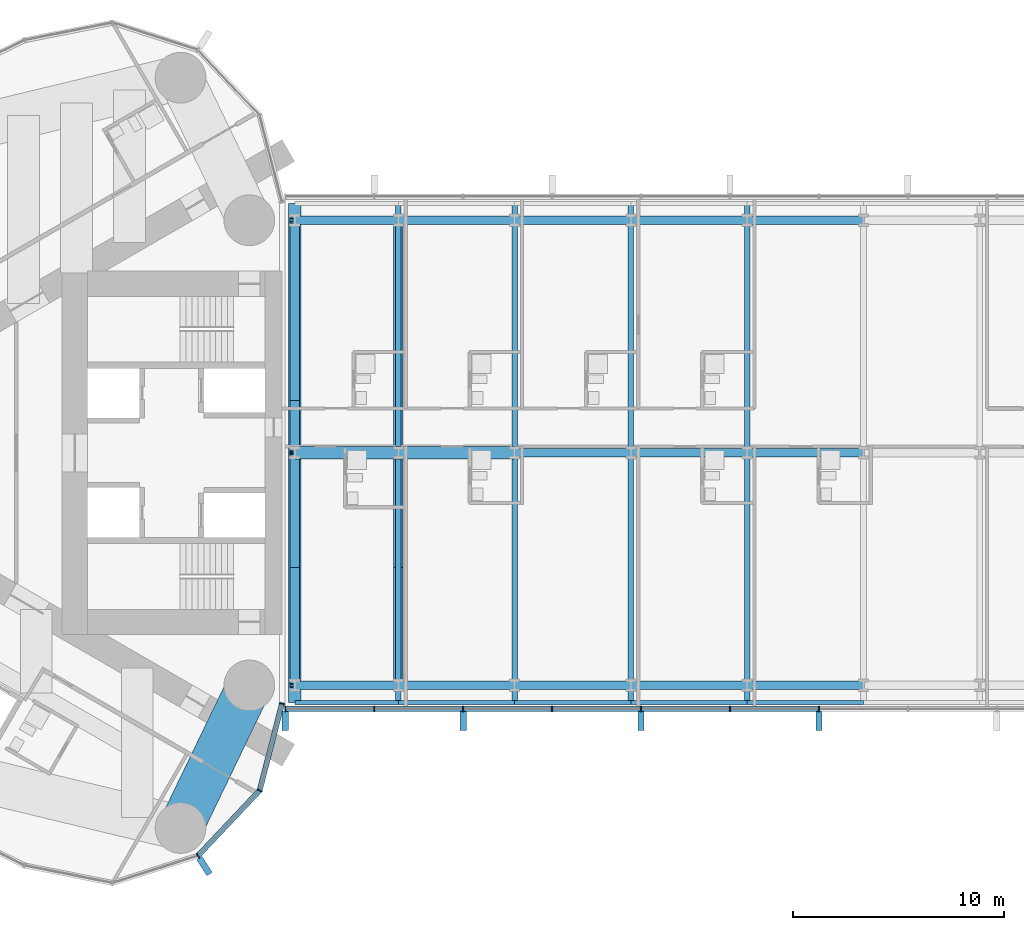
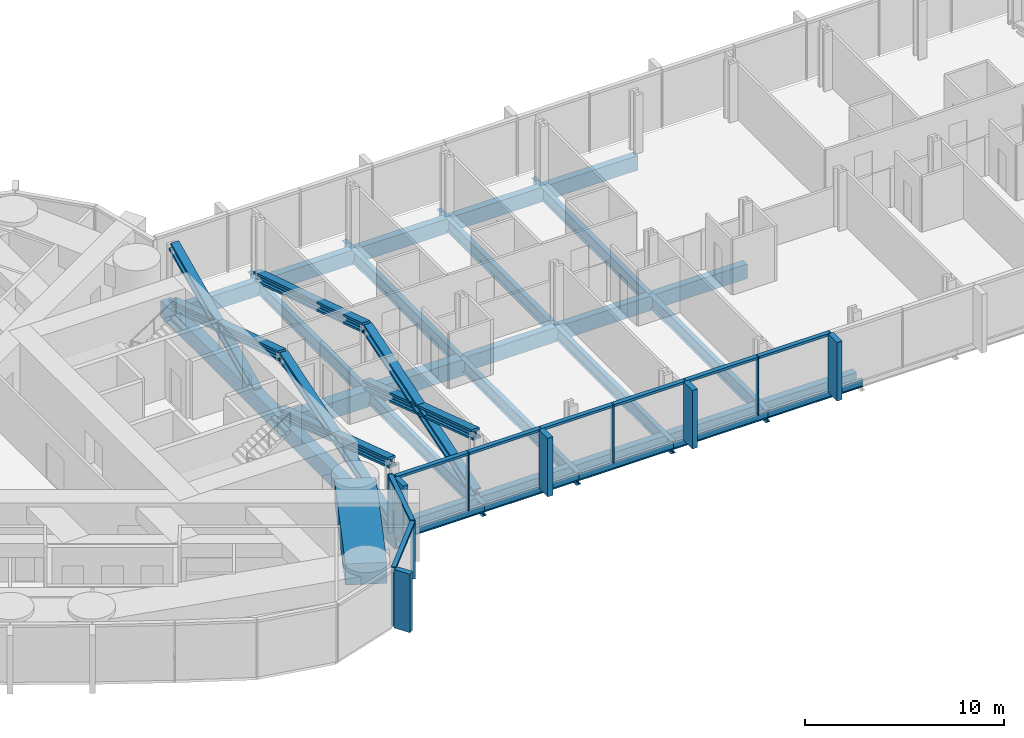
# One storey, part 4 of 22: 31 beams, 30 members, 2 elements without a shape of their own.
"""IFC4 building model written with IfcOpenShell, lengths in metres."""

from ifc_helpers import new_model, si_unit, direction, frame, origin, origin_2d, place, context, subcontext, project, spatial, rectangle, hollow_rectangle, i_section, extrude, material, material_profile, profile_set, type_object, element, aggregate, save


model = new_model("IFC4")

# Units and contexts
model_context = context("Model", 3, precision=1e-05, world=origin(), true_north=direction((0.0, 1.0)))
body_context = subcontext(model_context, "Body", "Model", "MODEL_VIEW")
ifc_project = project(units=[si_unit("LENGTHUNIT", "METRE"), si_unit("AREAUNIT", "SQUARE_METRE"), si_unit("VOLUMEUNIT", "CUBIC_METRE"), si_unit("PLANEANGLEUNIT", "RADIAN"), si_unit("MASSUNIT", "GRAM", prefix="KILO")], contexts=[model_context])

# Site, building, storey
site_placement = place(None, origin())
site = spatial("IfcSite", under=ifc_project, at=site_placement, CompositionType="ELEMENT")
building_placement = place(site_placement, origin())
building = spatial("IfcBuilding", under=site, at=building_placement, Name="Lancet Gate Hotel", CompositionType="ELEMENT")
storey_placement = place(building_placement, frame((0.0, 0.0, 226.10009765625)))
storey = spatial("IfcBuildingStorey", under=building, at=storey_placement, Name="L60", CompositionType="ELEMENT", Elevation=226.10009765625)

# Curtain wall, members
ifc_material_1 = material(Name="Aluminium curtain wall", Category="aluminium")
curtain_wall_type_1 = type_object("IfcCurtainWallType", Name="Tower unitised curtain wall", PredefinedType="USERDEFINED", material=ifc_material_1)
curtain_wall_1_placement = place(storey_placement, origin())
curtain_wall_1 = element("IfcCurtainWall", 1, at=curtain_wall_1_placement, inside=storey, type_object=curtain_wall_type_1, Name="T1 L60 curtain wall 1", ObjectType="UNITISED CURTAIN WALL", PredefinedType="USERDEFINED")
ifc_material_2 = material(Name="Aluminium mullion", Category="aluminium")
ifc_material_profile_1 = material_profile(ifc_material_2, rectangle(XDim=0.06494140625, YDim=0.25, at=origin_2d()), Name="MULLION 65x250")
ifc_profile_set_1 = profile_set([ifc_material_profile_1], Name="Aluminium mullion")
member_type_1 = type_object("IfcMemberType", Name="Aluminium mullion 65x250", PredefinedType="MULLION", material=ifc_profile_set_1)
member_1_placement = place(storey_placement, frame((-31.476318359375, -19.0576171875, 0.0), z_axis=(0.0, 0.0, 1.0), x_axis=(0.846612863, 0.532209225966, 0.0)))
member_1 = element("IfcMember", 2, at=member_1_placement, type_object=member_type_1, Name="T1 L60 curtain wall 1 mullion 23", PredefinedType="MULLION", context=body_context, shape_type="SweptSolid", body=[
    extrude(rectangle(XDim=0.06494140625, YDim=0.25, at=origin_2d()), origin(), (0.0, 0.0, 1.0), 3.599853515625),
])
member_2_placement = place(storey_placement, frame((-28.56005859375, -15.97216796875, 0.0), z_axis=(0.0, 0.0, 1.0), x_axis=(0.483627322447, 0.875274021654, 0.0)))
member_2 = element("IfcMember", 3, at=member_2_placement, type_object=member_type_1, Name="T1 L60 curtain wall 1 mullion 24", PredefinedType="MULLION", context=body_context, shape_type="SweptSolid", body=[
    extrude(rectangle(XDim=0.06494140625, YDim=0.25, at=origin_2d()), origin(), (0.0, 0.0, 1.0), 3.599853515625),
])
member_3_placement = place(storey_placement, frame((-27.5, -11.861572265625, 0.0), z_axis=(0.0, 0.0, 1.0), x_axis=(0.249725827997, 0.968316586056, 0.0)))
member_3 = element("IfcMember", 4, at=member_3_placement, type_object=member_type_1, Name="T1 L60 curtain wall 1 mullion 25", PredefinedType="MULLION", context=body_context, shape_type="SweptSolid", body=[
    extrude(rectangle(XDim=0.06494140625, YDim=0.25, at=origin_2d()), origin(), (0.0, 0.0, 1.0), 3.599853515625),
])

ifc_material_3 = material(Name="Aluminium curtain wall", Category="aluminium")
curtain_wall_type_2 = type_object("IfcCurtainWallType", Name="Bridge block curtain wall", PredefinedType="USERDEFINED", material=ifc_material_3)
curtain_wall_2_placement = place(storey_placement, origin())
curtain_wall_2 = element("IfcCurtainWall", 5, at=curtain_wall_2_placement, inside=storey, type_object=curtain_wall_type_2, Name="Bridge block L60 curtain wall S", ObjectType="UNITISED CURTAIN WALL", PredefinedType="USERDEFINED")
member_4_placement = place(storey_placement, frame((-27.35009765625, -12.1201171875, 0.0), z_axis=(0.0, 0.0, 1.0), x_axis=(1.0, 0.0, 0.0)))
member_4 = element("IfcMember", 6, at=member_4_placement, type_object=member_type_1, Name="Bridge block L60 curtain wall S mullion 1", PredefinedType="MULLION", context=body_context, shape_type="SweptSolid", body=[
    extrude(rectangle(XDim=0.06494140625, YDim=0.25, at=origin_2d()), origin(), (0.0, 0.0, 1.0), 3.599853515625),
])
member_5_placement = place(storey_placement, frame((-23.142333984375, -12.1201171875, 0.0), z_axis=(0.0, 0.0, 1.0), x_axis=(1.0, 0.0, 0.0)))
member_5 = element("IfcMember", 7, at=member_5_placement, type_object=member_type_1, Name="Bridge block L60 curtain wall S mullion 2", PredefinedType="MULLION", context=body_context, shape_type="SweptSolid", body=[
    extrude(rectangle(XDim=0.06494140625, YDim=0.25, at=origin_2d()), origin(), (0.0, 0.0, 1.0), 3.599853515625),
])
member_6_placement = place(storey_placement, frame((-18.9345703125, -12.1201171875, 0.0), z_axis=(0.0, 0.0, 1.0), x_axis=(1.0, 0.0, 0.0)))
member_6 = element("IfcMember", 8, at=member_6_placement, type_object=member_type_1, Name="Bridge block L60 curtain wall S mullion 3", PredefinedType="MULLION", context=body_context, shape_type="SweptSolid", body=[
    extrude(rectangle(XDim=0.06494140625, YDim=0.25, at=origin_2d()), origin(), (0.0, 0.0, 1.0), 3.599853515625),
])
member_7_placement = place(storey_placement, frame((-14.726806640625, -12.1201171875, 0.0), z_axis=(0.0, 0.0, 1.0), x_axis=(1.0, 0.0, 0.0)))
member_7 = element("IfcMember", 9, at=member_7_placement, type_object=member_type_1, Name="Bridge block L60 curtain wall S mullion 4", PredefinedType="MULLION", context=body_context, shape_type="SweptSolid", body=[
    extrude(rectangle(XDim=0.06494140625, YDim=0.25, at=origin_2d()), origin(), (0.0, 0.0, 1.0), 3.599853515625),
])
member_8_placement = place(storey_placement, frame((-10.519287109375, -12.1201171875, 0.0), z_axis=(0.0, 0.0, 1.0), x_axis=(1.0, 0.0, 0.0)))
member_8 = element("IfcMember", 10, at=member_8_placement, type_object=member_type_1, Name="Bridge block L60 curtain wall S mullion 5", PredefinedType="MULLION", context=body_context, shape_type="SweptSolid", body=[
    extrude(rectangle(XDim=0.06494140625, YDim=0.25, at=origin_2d()), origin(), (0.0, 0.0, 1.0), 3.599853515625),
])
member_9_placement = place(storey_placement, frame((-6.3115234375, -12.1201171875, 0.0), z_axis=(0.0, 0.0, 1.0), x_axis=(1.0, 0.0, 0.0)))
member_9 = element("IfcMember", 11, at=member_9_placement, type_object=member_type_1, Name="Bridge block L60 curtain wall S mullion 6", PredefinedType="MULLION", context=body_context, shape_type="SweptSolid", body=[
    extrude(rectangle(XDim=0.06494140625, YDim=0.25, at=origin_2d()), origin(), (0.0, 0.0, 1.0), 3.599853515625),
])
member_10_placement = place(storey_placement, frame((-2.103759765625, -12.1201171875, 0.0), z_axis=(0.0, 0.0, 1.0), x_axis=(1.0, 0.0, 0.0)))
member_10 = element("IfcMember", 12, at=member_10_placement, type_object=member_type_1, Name="Bridge block L60 curtain wall S mullion 7", PredefinedType="MULLION", context=body_context, shape_type="SweptSolid", body=[
    extrude(rectangle(XDim=0.06494140625, YDim=0.25, at=origin_2d()), origin(), (0.0, 0.0, 1.0), 3.599853515625),
])

# Member
ifc_material_4 = material(Name="Aluminium transom", Category="aluminium")
ifc_material_profile_2 = material_profile(ifc_material_4, rectangle(XDim=0.25, YDim=0.14990234375, at=origin_2d()), Name="TRANSOM 250x150")
ifc_profile_set_2 = profile_set([ifc_material_profile_2], Name="Aluminium transom")
member_type_2 = type_object("IfcMemberType", Name="Aluminium transom 250x150", PredefinedType="USERDEFINED", material=ifc_profile_set_2)
member_11_placement = place(storey_placement, frame((-31.453857421875, -19.033935546875, 3.52490234375), z_axis=(0.686880731091, 0.726770157103, 0.0), x_axis=(-0.726770157103, 0.686880731091, 0.0)))
member_11 = element("IfcMember", 13, at=member_11_placement, type_object=member_type_2, Name="T1 L60 curtain wall 1 transom 23", ObjectType="TRANSOM", PredefinedType="USERDEFINED", context=body_context, shape_type="SweptSolid", body=[
    extrude(rectangle(XDim=0.25, YDim=0.14990234375, at=origin_2d()), origin(), (0.0, 0.0, 1.0), 4.18017578125),
])

member_12_placement = place(storey_placement, frame((-28.552001953125, -15.94091796875, 3.52490234375), z_axis=(0.249715522936, 0.968319243641, 0.0), x_axis=(-0.968319243641, 0.249715522936, 0.0)))
member_12 = element("IfcMember", 14, at=member_12_placement, type_object=member_type_2, Name="T1 L60 curtain wall 1 transom 24", ObjectType="TRANSOM", PredefinedType="USERDEFINED", context=body_context, shape_type="SweptSolid", body=[
    extrude(rectangle(XDim=0.25, YDim=0.14990234375, at=origin_2d()), origin(), (0.0, 0.0, 1.0), 4.180419921875),
])

member_13_placement = place(storey_placement, frame((-27.3173828125, -12.1201171875, 3.52490234375), z_axis=(1.0, 0.0, 0.0), x_axis=(0.0, 1.0, 0.0)))
member_13 = element("IfcMember", 15, at=member_13_placement, type_object=member_type_2, Name="Bridge block L60 curtain wall S transom 1", ObjectType="TRANSOM", PredefinedType="USERDEFINED", context=body_context, shape_type="SweptSolid", body=[
    extrude(rectangle(XDim=0.25, YDim=0.14990234375, at=origin_2d()), origin(), (0.0, 0.0, 1.0), 4.142578125),
])

member_14_placement = place(storey_placement, frame((-23.10986328125, -12.1201171875, 3.52490234375), z_axis=(1.0, 0.0, 0.0), x_axis=(0.0, 1.0, 0.0)))
member_14 = element("IfcMember", 16, at=member_14_placement, type_object=member_type_2, Name="Bridge block L60 curtain wall S transom 2", ObjectType="TRANSOM", PredefinedType="USERDEFINED", context=body_context, shape_type="SweptSolid", body=[
    extrude(rectangle(XDim=0.25, YDim=0.14990234375, at=origin_2d()), origin(), (0.0, 0.0, 1.0), 4.142822265625),
])

member_15_placement = place(storey_placement, frame((-18.902099609375, -12.1201171875, 3.52490234375), z_axis=(1.0, 0.0, 0.0), x_axis=(0.0, 1.0, 0.0)))
member_15 = element("IfcMember", 17, at=member_15_placement, type_object=member_type_2, Name="Bridge block L60 curtain wall S transom 3", ObjectType="TRANSOM", PredefinedType="USERDEFINED", context=body_context, shape_type="SweptSolid", body=[
    extrude(rectangle(XDim=0.25, YDim=0.14990234375, at=origin_2d()), origin(), (0.0, 0.0, 1.0), 4.142578125),
])

member_16_placement = place(storey_placement, frame((-14.6943359375, -12.1201171875, 3.52490234375), z_axis=(1.0, 0.0, 0.0), x_axis=(0.0, 1.0, 0.0)))
member_16 = element("IfcMember", 18, at=member_16_placement, type_object=member_type_2, Name="Bridge block L60 curtain wall S transom 4", ObjectType="TRANSOM", PredefinedType="USERDEFINED", context=body_context, shape_type="SweptSolid", body=[
    extrude(rectangle(XDim=0.25, YDim=0.14990234375, at=origin_2d()), origin(), (0.0, 0.0, 1.0), 4.142578125),
])

member_17_placement = place(storey_placement, frame((-10.48681640625, -12.1201171875, 3.52490234375), z_axis=(1.0, 0.0, 0.0), x_axis=(0.0, 1.0, 0.0)))
member_17 = element("IfcMember", 19, at=member_17_placement, type_object=member_type_2, Name="Bridge block L60 curtain wall S transom 5", ObjectType="TRANSOM", PredefinedType="USERDEFINED", context=body_context, shape_type="SweptSolid", body=[
    extrude(rectangle(XDim=0.25, YDim=0.14990234375, at=origin_2d()), origin(), (0.0, 0.0, 1.0), 4.142822265625),
])

member_18_placement = place(storey_placement, frame((-6.279052734375, -12.1201171875, 3.52490234375), z_axis=(1.0, 0.0, 0.0), x_axis=(0.0, 1.0, 0.0)))
member_18 = element("IfcMember", 20, at=member_18_placement, type_object=member_type_2, Name="Bridge block L60 curtain wall S transom 6", ObjectType="TRANSOM", PredefinedType="USERDEFINED", context=body_context, shape_type="SweptSolid", body=[
    extrude(rectangle(XDim=0.25, YDim=0.14990234375, at=origin_2d()), origin(), (0.0, 0.0, 1.0), 4.142822265625),
])

# Members
ifc_material_5 = material(Name="Steel S460", Category="steel")
ifc_material_profile_3 = material_profile(ifc_material_5, i_section(OverallWidth=0.4541015625, OverallDepth=0.569091796875, WebThickness=0.077880859375, FlangeThickness=0.125, FilletRadius=0.02001953125, at=origin_2d()), Name="HD 400x1086")
ifc_profile_set_3 = profile_set([ifc_material_profile_3], Name="Steel S460")
member_type_3 = type_object("IfcMemberType", Name="Block brace HD 400x1086", PredefinedType="BRACE", material=ifc_profile_set_3)
member_19_placement = place(storey_placement, frame((-26.89990234375, -11.0, 0.0), z_axis=(0.0, 0.952925780013, 0.303203657277), x_axis=(-1.0, 0.0, 0.0)))
element("IfcMember", 21, at=member_19_placement, inside=storey, type_object=member_type_3, Name="Block brace WY11 L60", PredefinedType="BRACE", context=body_context, shape_type="SweptSolid", body=[
    extrude(i_section(OverallWidth=0.4541015625, OverallDepth=0.569091796875, WebThickness=0.077880859375, FlangeThickness=0.125, FilletRadius=0.02001953125, at=origin_2d()), origin(), (0.0, 0.0, 1.0), 11.54345703125),
])
member_20_placement = place(storey_placement, frame((-26.89990234375, 0.0, 0.0), z_axis=(0.0, -0.950400870301, 0.311027628564), x_axis=(1.0, 0.0, 0.0)))
element("IfcMember", 22, at=member_20_placement, inside=storey, type_object=member_type_3, Name="Block brace WY12 L60", PredefinedType="BRACE", context=body_context, shape_type="SweptSolid", body=[
    extrude(i_section(OverallWidth=0.4541015625, OverallDepth=0.569091796875, WebThickness=0.077880859375, FlangeThickness=0.125, FilletRadius=0.02001953125, at=origin_2d()), origin(), (0.0, 0.0, 1.0), 11.573974609375),
])
for number, where, z_axis, x_axis, name in (
    (23, (-26.89990234375, 11.0, 0.0), (0.0, -0.952925780013, 0.303203657277), (1.0, 0.0, 0.0), "Block brace WY22 L60"),
    (24, (-22.0, -11.0, 0.0), (0.0, 0.952925780013, 0.303203657277), (-1.0, 0.0, 0.0), "Block brace WI11 L60"),
):
    element("IfcMember", number, at=place(storey_placement, frame(where, z_axis=z_axis, x_axis=x_axis)), inside=storey, type_object=member_type_3, Name=name, PredefinedType="BRACE", context=body_context, shape_type="SweptSolid", body=[
        extrude(i_section(OverallWidth=0.4541015625, OverallDepth=0.569091796875, WebThickness=0.077880859375, FlangeThickness=0.125, FilletRadius=0.02001953125, at=origin_2d()), origin(), (0.0, 0.0, 1.0), 11.54345703125),
    ])
member_21_placement = place(storey_placement, frame((-22.0, 0.0, 0.0), z_axis=(0.0, -0.950400870301, 0.311027628564), x_axis=(1.0, 0.0, 0.0)))
element("IfcMember", 25, at=member_21_placement, inside=storey, type_object=member_type_3, Name="Block brace WI12 L60", PredefinedType="BRACE", context=body_context, shape_type="SweptSolid", body=[
    extrude(i_section(OverallWidth=0.4541015625, OverallDepth=0.569091796875, WebThickness=0.077880859375, FlangeThickness=0.125, FilletRadius=0.02001953125, at=origin_2d()), origin(), (0.0, 0.0, 1.0), 11.573974609375),
])
member_22_placement = place(storey_placement, frame((-22.0, 11.0, 0.0), z_axis=(0.0, -0.952925780013, 0.303203657277), x_axis=(1.0, 0.0, 0.0)))
element("IfcMember", 26, at=member_22_placement, inside=storey, type_object=member_type_3, Name="Block brace WI22 L60", PredefinedType="BRACE", context=body_context, shape_type="SweptSolid", body=[
    extrude(i_section(OverallWidth=0.4541015625, OverallDepth=0.569091796875, WebThickness=0.077880859375, FlangeThickness=0.125, FilletRadius=0.02001953125, at=origin_2d()), origin(), (0.0, 0.0, 1.0), 11.54345703125),
])
member_23_placement = place(storey_placement, frame((-26.89990234375, 2.60009765625, -0.300048828125), z_axis=(0.0, 0.907011125382, 0.421106659212), x_axis=(-1.0, 0.0, 0.0)))
element("IfcMember", 27, at=member_23_placement, inside=storey, type_object=member_type_3, Name="Block brace WY23 L60", PredefinedType="BRACE", context=body_context, shape_type="SweptSolid", body=[
    extrude(i_section(OverallWidth=0.4541015625, OverallDepth=0.569091796875, WebThickness=0.077880859375, FlangeThickness=0.125, FilletRadius=0.02001953125, at=origin_2d()), origin(), (0.0, 0.0, 1.0), 9.260986328125),
])

# Beams
ifc_material_6 = material(Name="Steel S355", Category="steel")
ifc_material_profile_4 = material_profile(ifc_material_6, i_section(OverallWidth=0.19140625, OverallDepth=0.4599609375, WebThickness=0.010009765625, FlangeThickness=0.01611328125, FilletRadius=0.01025390625, at=origin_2d()), Name="UKB 457x191x82")
ifc_profile_set_4 = profile_set([ifc_material_profile_4], Name="Steel S355")
beam_type_1 = type_object("IfcBeamType", Name="Block edge beam UKB 457x191x82", PredefinedType="SPANDREL", material=ifc_profile_set_4)
beam_1_placement = place(storey_placement, frame((-26.89990234375, -11.800048828125, -0.43017578125), z_axis=(1.0, 0.0, 0.0), x_axis=(0.0, 1.0, 0.0)))
element("IfcBeam", 28, at=beam_1_placement, inside=storey, type_object=beam_type_1, Name="Block edge beam S 0-1 L60", PredefinedType="SPANDREL", context=body_context, shape_type="SweptSolid", body=[
    extrude(i_section(OverallWidth=0.19140625, OverallDepth=0.4599609375, WebThickness=0.010009765625, FlangeThickness=0.01611328125, FilletRadius=0.01025390625, at=origin_2d()), origin(), (0.0, 0.0, 1.0), 4.89990234375),
])
for number, where, z_axis, x_axis, name in (
    (29, (-22.0, -11.800048828125, -0.43017578125), (1.0, 0.0, 0.0), (0.0, 1.0, 0.0), "Block edge beam S 1-2 L60"),
    (30, (-16.5, -11.800048828125, -0.43017578125), (1.0, 0.0, 0.0), (0.0, 1.0, 0.0), "Block edge beam S 2-3 L60"),
    (31, (-11.0, -11.800048828125, -0.43017578125), (1.0, 0.0, 0.0), (0.0, 1.0, 0.0), "Block edge beam S 3-4 L60"),
    (32, (-5.5, -11.800048828125, -0.43017578125), (1.0, 0.0, 0.0), (0.0, 1.0, 0.0), "Block edge beam S 4-5 L60"),
):
    element("IfcBeam", number, at=place(storey_placement, frame(where, z_axis=z_axis, x_axis=x_axis)), inside=storey, type_object=beam_type_1, Name=name, PredefinedType="SPANDREL", context=body_context, shape_type="SweptSolid", body=[
        extrude(i_section(OverallWidth=0.19140625, OverallDepth=0.4599609375, WebThickness=0.010009765625, FlangeThickness=0.01611328125, FilletRadius=0.01025390625, at=origin_2d()), origin(), (0.0, 0.0, 1.0), 5.5),
    ])
ifc_material_7 = material(Name="Steel S460QL", Category="steel")
ifc_material_profile_5 = material_profile(ifc_material_7, hollow_rectangle(XDim=0.60009765625, YDim=1.0, WallThickness=0.10009765625, at=origin_2d()), Name="BOX 1000x600x100")
ifc_profile_set_5 = profile_set([ifc_material_profile_5], Name="Steel S460QL")
beam_type_2 = type_object("IfcBeamType", Name="Block end beam BOX 1000x600x100", PredefinedType="BEAM", material=ifc_profile_set_5)
for number, where, z_axis, x_axis, name in (
    (33, (-26.89990234375, -11.800048828125, -0.7001953125), (0.0, 1.0, 0.0), (-1.0, 0.0, 0.0), "Block beam x0 S L60"),
    (34, (-26.89990234375, 0.0, -0.7001953125), (0.0, 1.0, 0.0), (-1.0, 0.0, 0.0), "Block beam x0 N L60"),
):
    element("IfcBeam", number, at=place(storey_placement, frame(where, z_axis=z_axis, x_axis=x_axis)), inside=storey, type_object=beam_type_2, Name=name, PredefinedType="BEAM", context=body_context, shape_type="SweptSolid", body=[
        extrude(hollow_rectangle(XDim=0.60009765625, YDim=1.0, WallThickness=0.10009765625, at=origin_2d()), origin(), (0.0, 0.0, 1.0), 11.800048828125),
    ])
ifc_material_8 = material(Name="Steel S460QL", Category="steel")
ifc_material_profile_6 = material_profile(ifc_material_8, hollow_rectangle(XDim=0.60009765625, YDim=1.0, WallThickness=0.080078125, at=origin_2d()), Name="BOX 1000x600x80")
ifc_profile_set_6 = profile_set([ifc_material_profile_6], Name="Steel S460QL")
beam_type_3 = type_object("IfcBeamType", Name="Block primary beam BOX 1000x600x80", PredefinedType="BEAM", material=ifc_profile_set_6)
beam_2_placement = place(storey_placement, frame((-26.89990234375, 0.0, -0.7001953125), z_axis=(1.0, 0.0, 0.0), x_axis=(0.0, 1.0, 0.0)))
element("IfcBeam", 35, at=beam_2_placement, inside=storey, type_object=beam_type_3, Name="Block primary beam M 1 L60", PredefinedType="BEAM", context=body_context, shape_type="SweptSolid", body=[
    extrude(hollow_rectangle(XDim=0.60009765625, YDim=1.0, WallThickness=0.080078125, at=origin_2d()), origin(), (0.0, 0.0, 1.0), 4.89990234375),
])
beam_3_placement = place(storey_placement, frame((-22.0, 0.0, -0.7001953125), z_axis=(1.0, 0.0, 0.0), x_axis=(0.0, 1.0, 0.0)))
element("IfcBeam", 36, at=beam_3_placement, inside=storey, type_object=beam_type_3, Name="Block primary beam M 2 L60", PredefinedType="BEAM", context=body_context, shape_type="SweptSolid", body=[
    extrude(hollow_rectangle(XDim=0.60009765625, YDim=1.0, WallThickness=0.080078125, at=origin_2d()), origin(), (0.0, 0.0, 1.0), 5.5),
])
ifc_material_9 = material(Name="Steel S355", Category="steel")
ifc_material_profile_7 = material_profile(ifc_material_9, hollow_rectangle(XDim=0.39990234375, YDim=0.89990234375, WallThickness=0.0400390625, at=origin_2d()), Name="BOX 900x400x40")
ifc_profile_set_7 = profile_set([ifc_material_profile_7], Name="Steel S355")
beam_type_4 = type_object("IfcBeamType", Name="Block primary beam BOX 900x400x40", PredefinedType="BEAM", material=ifc_profile_set_7)
beam_4_placement = place(storey_placement, frame((-26.89990234375, -11.0, -0.650146484375), z_axis=(1.0, 0.0, 0.0), x_axis=(0.0, 1.0, 0.0)))
element("IfcBeam", 37, at=beam_4_placement, inside=storey, type_object=beam_type_4, Name="Block primary beam S 1 L60", PredefinedType="BEAM", context=body_context, shape_type="SweptSolid", body=[
    extrude(hollow_rectangle(XDim=0.39990234375, YDim=0.89990234375, WallThickness=0.0400390625, at=origin_2d()), origin(), (0.0, 0.0, 1.0), 4.89990234375),
])
for number, where, z_axis, x_axis, name in (
    (38, (-22.0, -11.0, -0.650146484375), (1.0, 0.0, 0.0), (0.0, 1.0, 0.0), "Block primary beam S 2 L60"),
    (39, (-16.5, -11.0, -0.650146484375), (1.0, 0.0, 0.0), (0.0, 1.0, 0.0), "Block primary beam S 3 L60"),
    (40, (-11.0, -11.0, -0.650146484375), (1.0, 0.0, 0.0), (0.0, 1.0, 0.0), "Block primary beam S 4 L60"),
    (41, (-5.5, -11.0, -0.650146484375), (1.0, 0.0, 0.0), (0.0, 1.0, 0.0), "Block primary beam S 5 L60"),
    (42, (-16.5, 0.0, -0.650146484375), (1.0, 0.0, 0.0), (0.0, 1.0, 0.0), "Block primary beam M 3 L60"),
    (43, (-11.0, 0.0, -0.650146484375), (1.0, 0.0, 0.0), (0.0, 1.0, 0.0), "Block primary beam M 4 L60"),
    (44, (-5.5, 0.0, -0.650146484375), (1.0, 0.0, 0.0), (0.0, 1.0, 0.0), "Block primary beam M 5 L60"),
):
    element("IfcBeam", number, at=place(storey_placement, frame(where, z_axis=z_axis, x_axis=x_axis)), inside=storey, type_object=beam_type_4, Name=name, PredefinedType="BEAM", context=body_context, shape_type="SweptSolid", body=[
        extrude(hollow_rectangle(XDim=0.39990234375, YDim=0.89990234375, WallThickness=0.0400390625, at=origin_2d()), origin(), (0.0, 0.0, 1.0), 5.5),
    ])
beam_5_placement = place(storey_placement, frame((-26.89990234375, 11.0, -0.650146484375), z_axis=(1.0, 0.0, 0.0), x_axis=(0.0, 1.0, 0.0)))
element("IfcBeam", 45, at=beam_5_placement, inside=storey, type_object=beam_type_4, Name="Block primary beam N 1 L60", PredefinedType="BEAM", context=body_context, shape_type="SweptSolid", body=[
    extrude(hollow_rectangle(XDim=0.39990234375, YDim=0.89990234375, WallThickness=0.0400390625, at=origin_2d()), origin(), (0.0, 0.0, 1.0), 4.89990234375),
])
for number, where, z_axis, x_axis, name in (
    (46, (-22.0, 11.0, -0.650146484375), (1.0, 0.0, 0.0), (0.0, 1.0, 0.0), "Block primary beam N 2 L60"),
    (47, (-16.5, 11.0, -0.650146484375), (1.0, 0.0, 0.0), (0.0, 1.0, 0.0), "Block primary beam N 3 L60"),
    (48, (-11.0, 11.0, -0.650146484375), (1.0, 0.0, 0.0), (0.0, 1.0, 0.0), "Block primary beam N 4 L60"),
    (49, (-5.5, 11.0, -0.650146484375), (1.0, 0.0, 0.0), (0.0, 1.0, 0.0), "Block primary beam N 5 L60"),
):
    element("IfcBeam", number, at=place(storey_placement, frame(where, z_axis=z_axis, x_axis=x_axis)), inside=storey, type_object=beam_type_4, Name=name, PredefinedType="BEAM", context=body_context, shape_type="SweptSolid", body=[
        extrude(hollow_rectangle(XDim=0.39990234375, YDim=0.89990234375, WallThickness=0.0400390625, at=origin_2d()), origin(), (0.0, 0.0, 1.0), 5.5),
    ])
ifc_material_10 = material(Name="Steel S355", Category="steel")
ifc_material_profile_8 = material_profile(ifc_material_10, i_section(OverallWidth=0.26806640625, OverallDepth=0.769775390625, WebThickness=0.015625, FlangeThickness=0.025390625, FilletRadius=0.0166015625, at=origin_2d()), Name="UKB 762x267x197")
ifc_profile_set_8 = profile_set([ifc_material_profile_8], Name="Steel S355")
beam_type_5 = type_object("IfcBeamType", Name="Block secondary beam UKB 762x267x197", PredefinedType="JOIST", material=ifc_profile_set_8)
for number, where, z_axis, x_axis, name in (
    (50, (-22.0, -11.800048828125, -0.5849609375), (0.0, 1.0, 0.0), (-1.0, 0.0, 0.0), "Block beam x1 S L60"),
    (51, (-22.0, 0.0, -0.5849609375), (0.0, 1.0, 0.0), (-1.0, 0.0, 0.0), "Block beam x1 N L60"),
    (52, (-16.5, -11.800048828125, -0.5849609375), (0.0, 1.0, 0.0), (-1.0, 0.0, 0.0), "Block beam x2 S L60"),
    (53, (-16.5, 0.0, -0.5849609375), (0.0, 1.0, 0.0), (-1.0, 0.0, 0.0), "Block beam x2 N L60"),
    (54, (-11.0, -11.800048828125, -0.5849609375), (0.0, 1.0, 0.0), (-1.0, 0.0, 0.0), "Block beam x3 S L60"),
    (55, (-11.0, 0.0, -0.5849609375), (0.0, 1.0, 0.0), (-1.0, 0.0, 0.0), "Block beam x3 N L60"),
    (56, (-5.5, -11.800048828125, -0.5849609375), (0.0, 1.0, 0.0), (-1.0, 0.0, 0.0), "Block beam x4 S L60"),
    (57, (-5.5, 0.0, -0.5849609375), (0.0, 1.0, 0.0), (-1.0, 0.0, 0.0), "Block beam x4 N L60"),
):
    element("IfcBeam", number, at=place(storey_placement, frame(where, z_axis=z_axis, x_axis=x_axis)), inside=storey, type_object=beam_type_5, Name=name, PredefinedType="JOIST", context=body_context, shape_type="SweptSolid", body=[
        extrude(i_section(OverallWidth=0.26806640625, OverallDepth=0.769775390625, WebThickness=0.015625, FlangeThickness=0.025390625, FilletRadius=0.0166015625, at=origin_2d()), origin(), (0.0, 0.0, 1.0), 11.800048828125),
    ])
ifc_material_11 = material(Name="Concrete C50/60", Category="concrete")
ifc_material_profile_9 = material_profile(ifc_material_11, rectangle(XDim=2.10009765625, YDim=1.300048828125, at=origin_2d()), Name="RC 2100x1300")
ifc_profile_set_9 = profile_set([ifc_material_profile_9], Name="Concrete C50/60")
beam_type_6 = type_object("IfcBeamType", Name="Edge beam RC 2100x1300", PredefinedType="SPANDREL", material=ifc_profile_set_9)
beam_6_placement = place(storey_placement, frame((-29.050048828125, -11.0, 2.699951171875), z_axis=(-0.434163599361, -0.900834040759, 0.0), x_axis=(0.900834040759, -0.434163599361, 0.0)))
element("IfcBeam", 58, at=beam_6_placement, inside=storey, type_object=beam_type_6, Name="T1 edge beam EB1 L60", PredefinedType="SPANDREL", context=body_context, shape_type="SweptSolid", body=[
    extrude(rectangle(XDim=2.10009765625, YDim=1.300048828125, at=origin_2d()), origin(), (0.0, 0.0, 1.0), 7.48779296875),
])

# Member
ifc_material_12 = material(Name="Precast concrete C50/60", Category="concrete")
ifc_material_profile_10 = material_profile(ifc_material_12, rectangle(XDim=0.300048828125, YDim=0.89990234375, at=origin_2d()), Name="FIN 300x900")
ifc_profile_set_10 = profile_set([ifc_material_profile_10], Name="Precast concrete C50/60")
member_type_4 = type_object("IfcMemberType", Name="Exposed concrete fin 300x900", PredefinedType="USERDEFINED", material=ifc_profile_set_10)
member_24_placement = place(storey_placement, frame((-31.170166015625, -19.54443359375, 0.0), z_axis=(0.0, 0.0, 1.0), x_axis=(0.846612863, 0.532209225966, 0.0)))
member_24 = element("IfcMember", 59, at=member_24_placement, type_object=member_type_4, Name="T1 L60 curtain wall 1 fin 23", ObjectType="FIN", PredefinedType="USERDEFINED", context=body_context, shape_type="SweptSolid", body=[
    extrude(rectangle(XDim=0.300048828125, YDim=0.89990234375, at=origin_2d()), origin(), (0.0, 0.0, 1.0), 3.599853515625),
])

aggregate(curtain_wall_1, [member_1, member_24, member_2, member_3, member_11, member_12])

member_25_placement = place(storey_placement, frame((-27.35009765625, -12.695068359375, 0.0), z_axis=(0.0, 0.0, 1.0), x_axis=(1.0, 0.0, 0.0)))
member_25 = element("IfcMember", 60, at=member_25_placement, type_object=member_type_4, Name="Bridge block L60 curtain wall S fin 1", ObjectType="FIN", PredefinedType="USERDEFINED", context=body_context, shape_type="SweptSolid", body=[
    extrude(rectangle(XDim=0.300048828125, YDim=0.89990234375, at=origin_2d()), origin(), (0.0, 0.0, 1.0), 3.599853515625),
])

member_26_placement = place(storey_placement, frame((-18.9345703125, -12.695068359375, 0.0), z_axis=(0.0, 0.0, 1.0), x_axis=(1.0, 0.0, 0.0)))
member_26 = element("IfcMember", 61, at=member_26_placement, type_object=member_type_4, Name="Bridge block L60 curtain wall S fin 3", ObjectType="FIN", PredefinedType="USERDEFINED", context=body_context, shape_type="SweptSolid", body=[
    extrude(rectangle(XDim=0.300048828125, YDim=0.89990234375, at=origin_2d()), origin(), (0.0, 0.0, 1.0), 3.599853515625),
])

member_27_placement = place(storey_placement, frame((-10.519287109375, -12.695068359375, 0.0), z_axis=(0.0, 0.0, 1.0), x_axis=(1.0, 0.0, 0.0)))
member_27 = element("IfcMember", 62, at=member_27_placement, type_object=member_type_4, Name="Bridge block L60 curtain wall S fin 5", ObjectType="FIN", PredefinedType="USERDEFINED", context=body_context, shape_type="SweptSolid", body=[
    extrude(rectangle(XDim=0.300048828125, YDim=0.89990234375, at=origin_2d()), origin(), (0.0, 0.0, 1.0), 3.599853515625),
])

member_28_placement = place(storey_placement, frame((-2.103759765625, -12.695068359375, 0.0), z_axis=(0.0, 0.0, 1.0), x_axis=(1.0, 0.0, 0.0)))
member_28 = element("IfcMember", 63, at=member_28_placement, type_object=member_type_4, Name="Bridge block L60 curtain wall S fin 7", ObjectType="FIN", PredefinedType="USERDEFINED", context=body_context, shape_type="SweptSolid", body=[
    extrude(rectangle(XDim=0.300048828125, YDim=0.89990234375, at=origin_2d()), origin(), (0.0, 0.0, 1.0), 3.599853515625),
])

aggregate(curtain_wall_2, [member_4, member_25, member_5, member_6, member_26, member_7, member_8, member_27, member_9, member_10, member_28, member_13, member_14, member_15, member_16, member_17, member_18])

save(model, "model.ifc")
